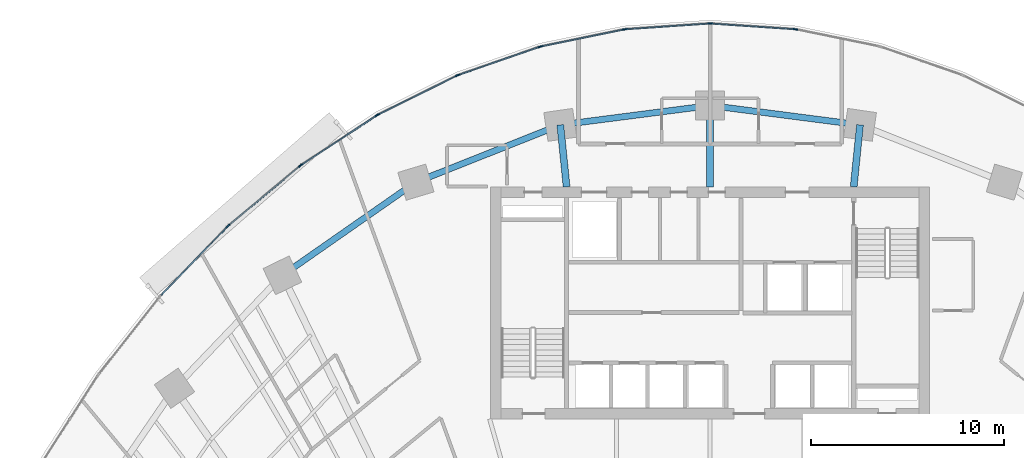
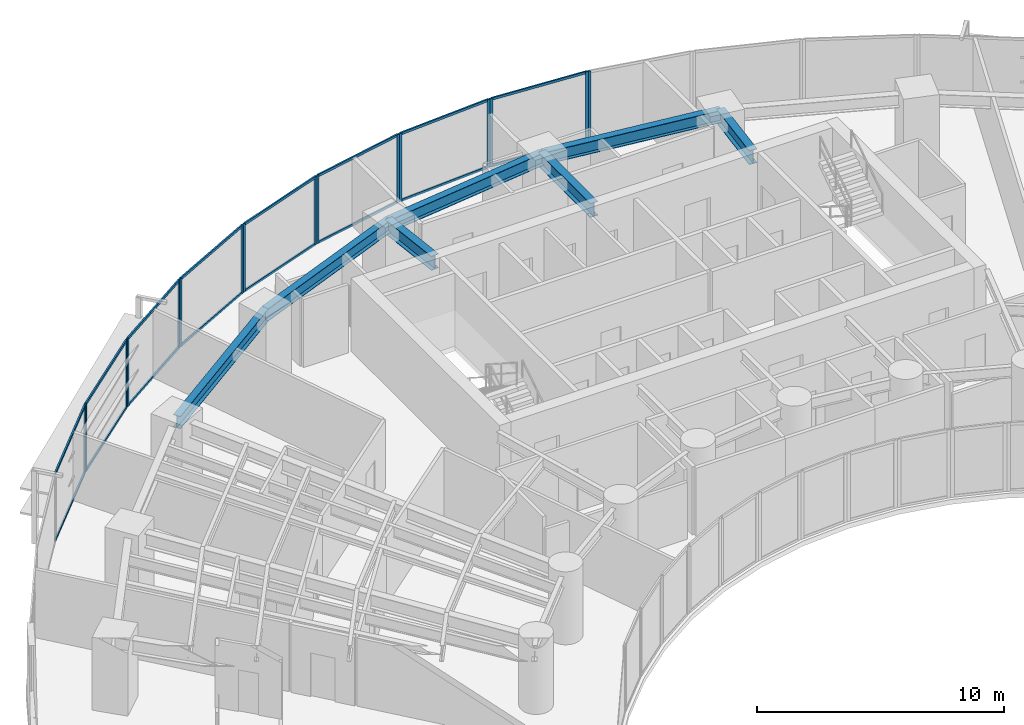
# One storey, part 6 of 17: 32 members, 7 beams, 9 elements without a shape of their own.
"""IFC4 building model written with IfcOpenShell, lengths in metres."""

import ifcopenshell
import ifcopenshell.guid

model = None  # the IFC model being written
_history = None  # IfcOwnerHistory: only IFC2X3 demands one
_inside = {}  # id of a spatial element -> (the spatial element, [elements in it])
_under = {}  # id of a project, library or spatial element -> (it, [spatial elements below it])
_declared = {}  # id of a project -> (the project, [libraries it declares])
_typed = {}  # id of a type object -> (the type object, [elements of that type])
_made_of = {}  # id of a material, layer set ... -> (it, [elements and type objects made of it])


def new_model(schema):
    """Start an empty IFC model of exactly this schema.

    Asked for "IFC4X3", IfcOpenShell would pick the latest addendum, in which some entities
    have other attributes; the version numbers below select the first issue.
    IFC2X3 requires an IfcOwnerHistory on every rooted entity: one is made here for all.
    """
    global model, _history
    if schema == "IFC4X3":
        model = ifcopenshell.file(schema_version=(4, 3, 0, 0))
    else:
        model = ifcopenshell.file(schema=schema)
    _inside.clear()
    _under.clear()
    _declared.clear()
    _typed.clear()
    _made_of.clear()
    _history = None
    if model.schema == "IFC2X3":
        org = make("IfcOrganization", Name="unknown")
        user = make(
            "IfcPersonAndOrganization",
            ThePerson=make("IfcPerson", FamilyName="unknown"),
            TheOrganization=org,
        )
        app = make(
            "IfcApplication",
            ApplicationDeveloper=org,
            Version="unknown",
            ApplicationFullName="unknown",
            ApplicationIdentifier="unknown",
        )
        _history = make(
            "IfcOwnerHistory",
            OwningUser=user,
            OwningApplication=app,
            ChangeAction="ADDED",
            CreationDate=0,
        )
    return model


def make(cls, **values):
    """One entity of the class cls with the attributes given. An attribute that is None is left unset."""
    return model.create_entity(
        cls, **{name: value for name, value in values.items() if value is not None}
    )


def rooted(cls, **values):
    """An entity with a GlobalId (a new one), such as an element, a storey or a relation."""
    return make(cls, GlobalId=ifcopenshell.guid.new(), OwnerHistory=_history, **values)


def si_unit(unit_type, name, prefix=None):
    """IfcSIUnit, for example si_unit("LENGTHUNIT", "METRE", prefix="MILLI")."""
    return make("IfcSIUnit", UnitType=unit_type, Prefix=prefix, Name=name)


def assignment(units):
    """IfcUnitAssignment: the units of a project."""
    return None if units is None else make("IfcUnitAssignment", Units=units)


def point(xyz):
    """IfcCartesianPoint."""
    return None if xyz is None else make("IfcCartesianPoint", Coordinates=xyz)


def direction(xyz):
    """IfcDirection."""
    return None if xyz is None else make("IfcDirection", DirectionRatios=xyz)


def frame(location, z_axis=None, x_axis=None):
    """IfcAxis2Placement3D, a coordinate frame: its origin and axes. An axis left out is left unset."""
    return make(
        "IfcAxis2Placement3D",
        Location=point(location),
        Axis=direction(z_axis),
        RefDirection=direction(x_axis),
    )


def frame_2d(location, x_axis=None):
    """IfcAxis2Placement2D, a coordinate frame in the plane: its origin and x axis."""
    return make(
        "IfcAxis2Placement2D", Location=point(location), RefDirection=direction(x_axis)
    )


def origin():
    """The frame at (0, 0, 0) with its axes left unset."""
    return frame((0.0, 0.0, 0.0))


def origin_2d():
    """The frame at (0, 0) in the plane with its x axis left unset."""
    return frame_2d((0.0, 0.0))


def place(relative_to, where):
    """IfcLocalPlacement: puts the frame where relative to a parent placement (None: the world)."""
    return make(
        "IfcLocalPlacement", PlacementRelTo=relative_to, RelativePlacement=where
    )


def context(
    kind, dimensions, precision=None, world=None, true_north=None, identifier=None
):
    """IfcGeometricRepresentationContext, for example the 3D "Model" context."""
    return make(
        "IfcGeometricRepresentationContext",
        ContextIdentifier=identifier,
        ContextType=kind,
        CoordinateSpaceDimension=dimensions,
        Precision=precision,
        WorldCoordinateSystem=world,
        TrueNorth=true_north,
    )


def subcontext(parent, identifier, kind, view, scale=None):
    """IfcGeometricRepresentationSubContext, for example "Body" below "Model"."""
    return make(
        "IfcGeometricRepresentationSubContext",
        ContextIdentifier=identifier,
        ContextType=kind,
        ParentContext=parent,
        TargetScale=scale,
        TargetView=view,
    )


def project(units=None, contexts=None):
    """IfcProject with its units and contexts."""
    return rooted(
        "IfcProject",
        Name="project",
        RepresentationContexts=contexts,
        UnitsInContext=assignment(units),
    )


def spatial(cls, under=None, at=None, **own):
    """A site, building, storey or space (cls), placed at a placement, below another one or the project."""
    s = rooted(cls, ObjectPlacement=at, **own)
    if under is not None:
        _under.setdefault(under.id(), (under, []))[1].append(s)
    return s


def profile(cls, at=None, kind="AREA", **sizes):
    """A parametric profile (cls). Its sizes go by their IFC names, for example OverallWidth=200.0."""
    return make(cls, ProfileType=kind, Position=at, **sizes)


def rectangle(**sizes):
    """IfcRectangleProfileDef."""
    return profile("IfcRectangleProfileDef", **sizes)


def i_section(**sizes):
    """IfcIShapeProfileDef."""
    return profile("IfcIShapeProfileDef", **sizes)


def extrude(swept, where, along, depth):
    """IfcExtrudedAreaSolid: the profile swept, set in the frame where, extruded along a direction by depth."""
    return make(
        "IfcExtrudedAreaSolid",
        SweptArea=swept,
        Position=where,
        ExtrudedDirection=direction(along),
        Depth=depth,
    )


def shape(context_of_items, identifier, shape_type, items):
    """IfcShapeRepresentation: the items that make up one representation, for example the "Body"."""
    return make(
        "IfcShapeRepresentation",
        ContextOfItems=context_of_items,
        RepresentationIdentifier=identifier,
        RepresentationType=shape_type,
        Items=items,
    )


def source(mapping_origin, context_of_items, identifier, shape_type, items):
    """IfcRepresentationMap: a shape defined once, which mapped items show again and again."""
    return make(
        "IfcRepresentationMap",
        MappingOrigin=mapping_origin,
        MappedRepresentation=shape(context_of_items, identifier, shape_type, items),
    )


def transform(
    local_origin,
    x_axis=None,
    y_axis=None,
    z_axis=None,
    scale=None,
    scale2=None,
    scale3=None,
    uniform=True,
):
    """IfcCartesianTransformationOperator3D, or its non-uniform kind. x_axis, y_axis, z_axis: its Axis1, 2, 3."""
    if uniform:
        return make(
            "IfcCartesianTransformationOperator3D",
            Axis1=direction(x_axis),
            Axis2=direction(y_axis),
            LocalOrigin=point(local_origin),
            Scale=scale,
            Axis3=direction(z_axis),
        )
    return make(
        "IfcCartesianTransformationOperator3DnonUniform",
        Axis1=direction(x_axis),
        Axis2=direction(y_axis),
        LocalOrigin=point(local_origin),
        Scale=scale,
        Axis3=direction(z_axis),
        Scale2=scale2,
        Scale3=scale3,
    )


def mapped(mapping_source, mapping_target):
    """IfcMappedItem: shows the shape of a source again, moved by a transform."""
    return make(
        "IfcMappedItem", MappingSource=mapping_source, MappingTarget=mapping_target
    )


def material(Name=None, Category=None):
    """IfcMaterial."""
    return make("IfcMaterial", Name=Name, Category=Category)


def layer(
    of_material, thickness, ventilated=None, Name=None, Category=None, Priority=None
):
    """IfcMaterialLayer: one layer of a wall or slab, of a material (None: an air gap)."""
    return make(
        "IfcMaterialLayer",
        Material=of_material,
        LayerThickness=thickness,
        IsVentilated=ventilated,
        Name=Name,
        Category=Category,
        Priority=Priority,
    )


def layer_set(layers, Name=None):
    """IfcMaterialLayerSet."""
    return make("IfcMaterialLayerSet", MaterialLayers=layers, LayerSetName=Name)


def material_profile(
    of_material, cross_section, Name=None, Category=None, Priority=None
):
    """IfcMaterialProfile: a cross section and its material."""
    return make(
        "IfcMaterialProfile",
        Name=Name,
        Material=of_material,
        Profile=cross_section,
        Priority=Priority,
        Category=Category,
    )


def profile_set(profiles, Name=None, composite=None):
    """IfcMaterialProfileSet."""
    return make(
        "IfcMaterialProfileSet",
        Name=Name,
        MaterialProfiles=profiles,
        CompositeProfile=composite,
    )


def made_of(thing, what):
    """Note that an element or type object is made of a material, layer set ...; save() writes the relation."""
    if what is not None:
        _made_of.setdefault(what.id(), (what, []))[1].append(thing)
    return thing


def type_object(cls, material=None, **own):
    """A type object (cls), such as IfcWallType, which elements share."""
    return made_of(rooted(cls, **own), material)


def element(
    cls,
    number,
    at=None,
    inside=None,
    cuts=None,
    type_object=None,
    material=None,
    context=None,
    identifier="Body",
    shape_type=None,
    held_by="IfcProductDefinitionShape",
    body=None,
    shapes=None,
    **own,
):
    """One element of the class cls, such as IfcWall. Its Tag is "e" and its number.

    at: its placement. inside: the storey or other place that contains it. cuts: it is an
    opening in that element (IfcRelVoidsElement). A single representation is given by context,
    identifier, shape_type and body (its items); several are given by shapes. held_by: the class
    of the entity that holds the representations. save() writes the other relations.
    """
    e = rooted(cls, Tag="e%d" % number, ObjectPlacement=at, **own)
    if body is not None:
        shapes = [shape(context, identifier, shape_type, body)]
    if shapes is not None:
        e.Representation = make(held_by, Representations=shapes)
    if inside is not None:
        _inside.setdefault(inside.id(), (inside, []))[1].append(e)
    if cuts is not None:
        rooted(
            "IfcRelVoidsElement", RelatingBuildingElement=cuts, RelatedOpeningElement=e
        )
    if type_object is not None:
        _typed.setdefault(type_object.id(), (type_object, []))[1].append(e)
    return made_of(e, material)


def aggregate(whole, parts):
    """IfcRelAggregates: a whole, such as a stair, and the parts it consists of."""
    return rooted("IfcRelAggregates", RelatingObject=whole, RelatedObjects=parts)


def save(model, path):
    """Write the relations noted so far, then the file.

    IfcRelAggregates (storeys below a building ...), IfcRelContainedInSpatialStructure (elements
    in a storey), IfcRelDefinesByType, IfcRelAssociatesMaterial and IfcRelDeclares: one each for
    every whole, place, type object, material and project.
    """
    for whole, parts in _under.values():
        aggregate(whole, parts)
    for where, things in _inside.values():
        rooted(
            "IfcRelContainedInSpatialStructure",
            RelatedElements=things,
            RelatingStructure=where,
        )
    for kind, things in _typed.values():
        rooted("IfcRelDefinesByType", RelatedObjects=things, RelatingType=kind)
    for what, things in _made_of.values():
        rooted("IfcRelAssociatesMaterial", RelatedObjects=things, RelatingMaterial=what)
    for by, libraries in _declared.values():
        rooted("IfcRelDeclares", RelatingContext=by, RelatedDefinitions=libraries)
    model.write(path)


model = new_model("IFC4")

# Units and contexts
model_context = context("Model", 3, precision=1e-05, world=origin(), true_north=direction((0.0, 1.0)))
body_context = subcontext(model_context, "Body", "Model", "MODEL_VIEW")
ifc_project = project(units=[si_unit("LENGTHUNIT", "METRE"), si_unit("AREAUNIT", "SQUARE_METRE"), si_unit("VOLUMEUNIT", "CUBIC_METRE"), si_unit("PLANEANGLEUNIT", "RADIAN"), si_unit("MASSUNIT", "GRAM", prefix="KILO")], contexts=[model_context])

# Site, building, storey
site_placement = place(None, origin())
site = spatial("IfcSite", under=ifc_project, at=site_placement, CompositionType="ELEMENT")
building_placement = place(site_placement, origin())
building = spatial("IfcBuilding", under=site, at=building_placement, Name="Breltana Convention Tower", CompositionType="ELEMENT")
storey_placement = place(building_placement, frame((0.0, 0.0, 49.800048828125)))
storey = spatial("IfcBuildingStorey", under=building, at=storey_placement, Name="L10", CompositionType="ELEMENT", Elevation=49.800048828125)

# Beams
ifc_material_1 = material(Name="Steel ASTM A992 Grade 50", Category="steel")
ifc_material_profile_1 = material_profile(ifc_material_1, i_section(OverallWidth=0.323974609375, OverallDepth=0.611083984375, WebThickness=0.0126953125, FlangeThickness=0.01904296875, at=origin_2d()), Name="W24X104")
ifc_profile_set_1 = profile_set([ifc_material_profile_1], Name="Steel ASTM A992 Grade 50")
beam_type_1 = type_object("IfcBeamType", Name="BM-SP-W24X104", PredefinedType="SPANDREL", material=ifc_profile_set_1)
shared_shape_1 = source(origin(), body_context, "Body", "SweptSolid", [
    extrude(i_section(OverallWidth=0.323974609375, OverallDepth=0.611083984375, WebThickness=0.0126953125, FlangeThickness=0.01904296875, at=origin_2d()), origin(), (0.0, 0.0, 1.0), 8.4169921875),
])
beam_1_placement = place(storey_placement, frame((25.8876953125, 67.626953125, 3.054443359375), z_axis=(0.820173800102, 0.572114444519, 0.0), x_axis=(-0.572114444519, 0.820173800102, 0.0)))
element("IfcBeam", 1, at=beam_1_placement, inside=storey, type_object=beam_type_1, Name="L10 Outer Spandrel Beam 03", PredefinedType="SPANDREL", context=body_context, shape_type="MappedRepresentation", body=[
    mapped(shared_shape_1, transform((0.0, 0.0, 0.0), scale=1.0)),
])
shared_shape_2 = source(origin(), body_context, "Body", "SweptSolid", [
    extrude(i_section(OverallWidth=0.323974609375, OverallDepth=0.611083984375, WebThickness=0.0126953125, FlangeThickness=0.01904296875, at=origin_2d()), origin(), (0.0, 0.0, 1.0), 8.028564453125),
])
beam_2_placement = place(storey_placement, frame((32.791015625, 72.4423828125, 3.054443359375), z_axis=(0.929459100394, 0.368925169507, 0.0), x_axis=(-0.368925169507, 0.929459100394, 0.0)))
element("IfcBeam", 2, at=beam_2_placement, inside=storey, type_object=beam_type_1, Name="L10 Outer Spandrel Beam 04", PredefinedType="SPANDREL", context=body_context, shape_type="MappedRepresentation", body=[
    mapped(shared_shape_2, transform((0.0, 0.0, 0.0), scale=1.0)),
])
shared_shape_3 = source(origin(), body_context, "Body", "SweptSolid", [
    extrude(i_section(OverallWidth=0.323974609375, OverallDepth=0.611083984375, WebThickness=0.0126953125, FlangeThickness=0.01904296875, at=origin_2d()), origin(), (0.0, 0.0, 1.0), 7.81103515625),
])
for number, where, z_axis, x_axis, name in (
    (3, (40.253173828125, 75.404296875, 3.054443359375), (0.991775179127, 0.127992164083, 0.0), (-0.127992164083, 0.991775179127, 0.0), "L10 Outer Spandrel Beam 05"),
    (4, (48.0, 76.404052734375, 3.054443359375), (0.991775179127, -0.127992164083, 0.0), (0.127992164083, 0.991775179127, 0.0), "L10 Outer Spandrel Beam 06"),
):
    element("IfcBeam", number, at=place(storey_placement, frame(where, z_axis=z_axis, x_axis=x_axis)), inside=storey, type_object=beam_type_1, Name=name, PredefinedType="SPANDREL", context=body_context, shape_type="MappedRepresentation", body=[
        mapped(shared_shape_3, transform((0.0, 0.0, 0.0), scale=1.0)),
    ])
ifc_material_profile_2 = material_profile(ifc_material_1, i_section(OverallWidth=0.35498046875, OverallDepth=0.696044921875, WebThickness=0.015380859375, FlangeThickness=0.02490234375, at=origin_2d()), Name="W27X146")
ifc_profile_set_2 = profile_set([ifc_material_profile_2], Name="Steel ASTM A992 Grade 50")
beam_type_2 = type_object("IfcBeamType", Name="BM-RG-W27X146", PredefinedType="USERDEFINED", material=ifc_profile_set_2)
shared_shape_4 = source(origin(), body_context, "Body", "SweptSolid", [
    extrude(i_section(OverallWidth=0.35498046875, OverallDepth=0.696044921875, WebThickness=0.015380859375, FlangeThickness=0.02490234375, at=origin_2d()), origin(), (0.0, 0.0, 1.0), 3.220947265625),
])
for number, where, z_axis, x_axis, name in (
    (5, (40.580078125, 72.199951171875, 3.011962890625), (-0.101492254858, 0.994836329355, 0.0), (-0.994836329355, -0.101492254858, 0.0), "L10 North Core Radial Girder R05"),
    (6, (55.419921875, 72.199951171875, 3.011962890625), (0.101492254858, 0.994836329355, 0.0), (-0.994836329355, 0.101492254858, 0.0), "L10 North Core Radial Girder R07"),
):
    element("IfcBeam", number, at=place(storey_placement, frame(where, z_axis=z_axis, x_axis=x_axis)), inside=storey, type_object=beam_type_2, Name=name, ObjectType="GIRDER", PredefinedType="USERDEFINED", context=body_context, shape_type="MappedRepresentation", body=[
        mapped(shared_shape_4, transform((0.0, 0.0, 0.0), scale=1.0)),
    ])
shared_shape_5 = source(origin(), body_context, "Body", "SweptSolid", [
    extrude(i_section(OverallWidth=0.35498046875, OverallDepth=0.696044921875, WebThickness=0.015380859375, FlangeThickness=0.02490234375, at=origin_2d()), origin(), (0.0, 0.0, 1.0), 4.2041015625),
])
beam_3_placement = place(storey_placement, frame((48.0, 72.199951171875, 3.011962890625), z_axis=(0.0, 1.0, 0.0), x_axis=(-1.0, 0.0, 0.0)))
element("IfcBeam", 7, at=beam_3_placement, inside=storey, type_object=beam_type_2, Name="L10 North Core Radial Girder R06", ObjectType="GIRDER", PredefinedType="USERDEFINED", context=body_context, shape_type="MappedRepresentation", body=[
    mapped(shared_shape_5, transform((0.0, 0.0, 0.0), scale=1.0)),
])

# Curtain wall, members
ifc_material_2 = material(Name="Aluminium Anodised Bronze Frame", Category="aluminium")
ifc_layer = layer(ifc_material_2, 0.199951171875, Name="Aluminium Anodised Bronze Frame")
ifc_layer_set = layer_set([ifc_layer], Name="Aluminium Anodised Bronze Frame")
curtain_wall_type = type_object("IfcCurtainWallType", Name="CW-SYS-2", PredefinedType="NOTDEFINED", material=ifc_layer_set)
curtain_wall_1_placement = place(storey_placement, origin())
curtain_wall_1 = element("IfcCurtainWall", 8, at=curtain_wall_1_placement, inside=storey, type_object=curtain_wall_type, Name="L10 outer double-skin inner glazing 3", PredefinedType="NOTDEFINED")
ifc_material_3 = material(Name="Aluminium Anodised Bronze", Category="aluminium")
ifc_material_profile_3 = material_profile(ifc_material_3, rectangle(XDim=0.070068359375, YDim=0.1201171875, at=origin_2d()), Name="CWT-70X120")
ifc_profile_set_3 = profile_set([ifc_material_profile_3], Name="Aluminium Anodised Bronze")
member_type_1 = type_object("IfcMemberType", Name="CWT-120", PredefinedType="USERDEFINED", material=ifc_profile_set_3)
shared_shape_6 = source(origin(), body_context, "Body", "SweptSolid", [
    extrude(rectangle(XDim=0.070068359375, YDim=0.1201171875, at=origin_2d()), origin(), (0.0, 0.0, 1.0), 4.901123046875),
])
member_1_placement = place(storey_placement, frame((19.615478515625, 66.5966796875, 0.034912109375), z_axis=(0.6945945137, 0.719401460617, 0.0), x_axis=(-0.719401460617, 0.6945945137, 0.0)))
member_1 = element("IfcMember", 9, at=member_1_placement, type_object=member_type_1, Name="CW-02 transom 1.1", ObjectType="TRANSOM", PredefinedType="USERDEFINED", context=body_context, shape_type="MappedRepresentation", body=[
    mapped(shared_shape_6, transform((0.0, 0.0, 0.0), scale=1.0)),
])
member_2_placement = place(storey_placement, frame((19.615478515625, 66.5966796875, 3.324951171875), z_axis=(0.6945945137, 0.719401460617, 0.0), x_axis=(-0.719401460617, 0.6945945137, 0.0)))
member_2 = element("IfcMember", 10, at=member_2_placement, type_object=member_type_1, Name="CW-02 transom 1.2", ObjectType="TRANSOM", PredefinedType="USERDEFINED", context=body_context, shape_type="MappedRepresentation", body=[
    mapped(shared_shape_6, transform((0.0, 0.0, 0.0), scale=1.0)),
])

curtain_wall_2_placement = place(storey_placement, origin())
curtain_wall_2 = element("IfcCurtainWall", 11, at=curtain_wall_2_placement, inside=storey, type_object=curtain_wall_type, Name="L10 outer double-skin inner glazing 4", PredefinedType="NOTDEFINED")
shared_shape_7 = source(origin(), body_context, "Body", "SweptSolid", [
    extrude(rectangle(XDim=0.070068359375, YDim=0.1201171875, at=origin_2d()), origin(), (0.0, 0.0, 1.0), 4.7509765625),
])
member_3_placement = place(storey_placement, frame((23.1220703125, 70.2177734375, 0.034912109375), z_axis=(0.767951631807, 0.64050783852, 0.0), x_axis=(-0.64050783852, 0.767951631807, 0.0)))
member_3 = element("IfcMember", 12, at=member_3_placement, type_object=member_type_1, Name="CW-02 transom 1.1", ObjectType="TRANSOM", PredefinedType="USERDEFINED", context=body_context, shape_type="MappedRepresentation", body=[
    mapped(shared_shape_7, transform((0.0, 0.0, 0.0), scale=1.0)),
])
member_4_placement = place(storey_placement, frame((23.1220703125, 70.2177734375, 3.324951171875), z_axis=(0.767951631807, 0.64050783852, 0.0), x_axis=(-0.64050783852, 0.767951631807, 0.0)))
member_4 = element("IfcMember", 13, at=member_4_placement, type_object=member_type_1, Name="CW-02 transom 1.2", ObjectType="TRANSOM", PredefinedType="USERDEFINED", context=body_context, shape_type="MappedRepresentation", body=[
    mapped(shared_shape_7, transform((0.0, 0.0, 0.0), scale=1.0)),
])

curtain_wall_3_placement = place(storey_placement, origin())
curtain_wall_3 = element("IfcCurtainWall", 14, at=curtain_wall_3_placement, inside=storey, type_object=curtain_wall_type, Name="L10 outer double-skin inner glazing 5", PredefinedType="NOTDEFINED")
shared_shape_8 = source(origin(), body_context, "Body", "SweptSolid", [
    extrude(rectangle(XDim=0.070068359375, YDim=0.1201171875, at=origin_2d()), origin(), (0.0, 0.0, 1.0), 4.610595703125),
])
member_5_placement = place(storey_placement, frame((26.8828125, 73.343994140625, 0.034912109375), z_axis=(0.835956055104, 0.54879638659, 0.0), x_axis=(-0.54879638659, 0.835956055104, 0.0)))
member_5 = element("IfcMember", 15, at=member_5_placement, type_object=member_type_1, Name="CW-02 transom 1.1", ObjectType="TRANSOM", PredefinedType="USERDEFINED", context=body_context, shape_type="MappedRepresentation", body=[
    mapped(shared_shape_8, transform((0.0, 0.0, 0.0), scale=1.0)),
])
member_6_placement = place(storey_placement, frame((26.8828125, 73.343994140625, 3.324951171875), z_axis=(0.835956055104, 0.54879638659, 0.0), x_axis=(-0.54879638659, 0.835956055104, 0.0)))
member_6 = element("IfcMember", 16, at=member_6_placement, type_object=member_type_1, Name="CW-02 transom 1.2", ObjectType="TRANSOM", PredefinedType="USERDEFINED", context=body_context, shape_type="MappedRepresentation", body=[
    mapped(shared_shape_8, transform((0.0, 0.0, 0.0), scale=1.0)),
])

curtain_wall_4_placement = place(storey_placement, origin())
curtain_wall_4 = element("IfcCurtainWall", 17, at=curtain_wall_4_placement, inside=storey, type_object=curtain_wall_type, Name="L10 outer double-skin inner glazing 6", PredefinedType="NOTDEFINED")
shared_shape_9 = source(origin(), body_context, "Body", "SweptSolid", [
    extrude(rectangle(XDim=0.070068359375, YDim=0.1201171875, at=origin_2d()), origin(), (0.0, 0.0, 1.0), 4.487548828125),
])
member_7_placement = place(storey_placement, frame((30.8583984375, 75.94384765625, 0.034912109375), z_axis=(0.895977728863, 0.444098986017, 0.0), x_axis=(-0.444098986017, 0.895977728863, 0.0)))
member_7 = element("IfcMember", 18, at=member_7_placement, type_object=member_type_1, Name="CW-02 transom 1.1", ObjectType="TRANSOM", PredefinedType="USERDEFINED", context=body_context, shape_type="MappedRepresentation", body=[
    mapped(shared_shape_9, transform((0.0, 0.0, 0.0), scale=1.0)),
])
member_8_placement = place(storey_placement, frame((30.8583984375, 75.94384765625, 3.324951171875), z_axis=(0.895977728863, 0.444098986017, 0.0), x_axis=(-0.444098986017, 0.895977728863, 0.0)))
member_8 = element("IfcMember", 19, at=member_8_placement, type_object=member_type_1, Name="CW-02 transom 1.2", ObjectType="TRANSOM", PredefinedType="USERDEFINED", context=body_context, shape_type="MappedRepresentation", body=[
    mapped(shared_shape_9, transform((0.0, 0.0, 0.0), scale=1.0)),
])

curtain_wall_5_placement = place(storey_placement, origin())
curtain_wall_5 = element("IfcCurtainWall", 20, at=curtain_wall_5_placement, inside=storey, type_object=curtain_wall_type, Name="L10 outer double-skin inner glazing 7", PredefinedType="NOTDEFINED")
shared_shape_10 = source(origin(), body_context, "Body", "SweptSolid", [
    extrude(rectangle(XDim=0.070068359375, YDim=0.1201171875, at=origin_2d()), origin(), (0.0, 0.0, 1.0), 4.38818359375),
])
member_9_placement = place(storey_placement, frame((35.008056640625, 77.99072265625, 0.034912109375), z_axis=(0.944878203019, 0.32742202348, 0.0), x_axis=(-0.32742202348, 0.944878203019, 0.0)))
member_9 = element("IfcMember", 21, at=member_9_placement, type_object=member_type_1, Name="CW-02 transom 1.1", ObjectType="TRANSOM", PredefinedType="USERDEFINED", context=body_context, shape_type="MappedRepresentation", body=[
    mapped(shared_shape_10, transform((0.0, 0.0, 0.0), scale=1.0)),
])
member_10_placement = place(storey_placement, frame((35.008056640625, 77.99072265625, 3.324951171875), z_axis=(0.944878203019, 0.32742202348, 0.0), x_axis=(-0.32742202348, 0.944878203019, 0.0)))
member_10 = element("IfcMember", 22, at=member_10_placement, type_object=member_type_1, Name="CW-02 transom 1.2", ObjectType="TRANSOM", PredefinedType="USERDEFINED", context=body_context, shape_type="MappedRepresentation", body=[
    mapped(shared_shape_10, transform((0.0, 0.0, 0.0), scale=1.0)),
])

curtain_wall_6_placement = place(storey_placement, origin())
curtain_wall_6 = element("IfcCurtainWall", 23, at=curtain_wall_6_placement, inside=storey, type_object=curtain_wall_type, Name="L10 outer double-skin inner glazing 8", PredefinedType="NOTDEFINED")
shared_shape_11 = source(origin(), body_context, "Body", "SweptSolid", [
    extrude(rectangle(XDim=0.070068359375, YDim=0.1201171875, at=origin_2d()), origin(), (0.0, 0.0, 1.0), 4.318359375),
])
member_11_placement = place(storey_placement, frame((39.2890625, 79.464599609375, 0.034912109375), z_axis=(0.979616680923, 0.200875977799, 0.0), x_axis=(-0.200875977799, 0.979616680923, 0.0)))
member_11 = element("IfcMember", 24, at=member_11_placement, type_object=member_type_1, Name="CW-02 transom 1.1", ObjectType="TRANSOM", PredefinedType="USERDEFINED", context=body_context, shape_type="MappedRepresentation", body=[
    mapped(shared_shape_11, transform((0.0, 0.0, 0.0), scale=1.0)),
])
member_12_placement = place(storey_placement, frame((39.2890625, 79.464599609375, 3.324951171875), z_axis=(0.979616680923, 0.200875977799, 0.0), x_axis=(-0.200875977799, 0.979616680923, 0.0)))
member_12 = element("IfcMember", 25, at=member_12_placement, type_object=member_type_1, Name="CW-02 transom 1.2", ObjectType="TRANSOM", PredefinedType="USERDEFINED", context=body_context, shape_type="MappedRepresentation", body=[
    mapped(shared_shape_11, transform((0.0, 0.0, 0.0), scale=1.0)),
])

curtain_wall_7_placement = place(storey_placement, origin())
curtain_wall_7 = element("IfcCurtainWall", 26, at=curtain_wall_7_placement, inside=storey, type_object=curtain_wall_type, Name="L10 outer double-skin inner glazing 9", PredefinedType="NOTDEFINED")
shared_shape_12 = source(origin(), body_context, "Body", "SweptSolid", [
    extrude(rectangle(XDim=0.070068359375, YDim=0.1201171875, at=origin_2d()), origin(), (0.0, 0.0, 1.0), 4.2822265625),
])
member_13_placement = place(storey_placement, frame((43.65771484375, 80.350830078125, 0.034912109375), z_axis=(0.997703698684, 0.067729828231, 0.0), x_axis=(-0.067729828231, 0.997703698684, 0.0)))
member_13 = element("IfcMember", 27, at=member_13_placement, type_object=member_type_1, Name="CW-02 transom 1.1", ObjectType="TRANSOM", PredefinedType="USERDEFINED", context=body_context, shape_type="MappedRepresentation", body=[
    mapped(shared_shape_12, transform((0.0, 0.0, 0.0), scale=1.0)),
])
member_14_placement = place(storey_placement, frame((43.65771484375, 80.350830078125, 3.324951171875), z_axis=(0.997703698684, 0.067729828231, 0.0), x_axis=(-0.067729828231, 0.997703698684, 0.0)))
member_14 = element("IfcMember", 28, at=member_14_placement, type_object=member_type_1, Name="CW-02 transom 1.2", ObjectType="TRANSOM", PredefinedType="USERDEFINED", context=body_context, shape_type="MappedRepresentation", body=[
    mapped(shared_shape_12, transform((0.0, 0.0, 0.0), scale=1.0)),
])

curtain_wall_8_placement = place(storey_placement, origin())
curtain_wall_8 = element("IfcCurtainWall", 29, at=curtain_wall_8_placement, inside=storey, type_object=curtain_wall_type, Name="L10 outer double-skin inner glazing 10", PredefinedType="NOTDEFINED")
member_15_placement = place(storey_placement, frame((48.06982421875, 80.640869140625, 0.034912109375), z_axis=(0.997703698684, -0.067729828231, 0.0), x_axis=(0.067729828231, 0.997703698684, 0.0)))
member_15 = element("IfcMember", 30, at=member_15_placement, type_object=member_type_1, Name="CW-02 transom 1.1", ObjectType="TRANSOM", PredefinedType="USERDEFINED", context=body_context, shape_type="MappedRepresentation", body=[
    mapped(shared_shape_12, transform((0.0, 0.0, 0.0), scale=1.0)),
])
member_16_placement = place(storey_placement, frame((48.06982421875, 80.640869140625, 3.324951171875), z_axis=(0.997703698684, -0.067729828231, 0.0), x_axis=(0.067729828231, 0.997703698684, 0.0)))
member_16 = element("IfcMember", 31, at=member_16_placement, type_object=member_type_1, Name="CW-02 transom 1.2", ObjectType="TRANSOM", PredefinedType="USERDEFINED", context=body_context, shape_type="MappedRepresentation", body=[
    mapped(shared_shape_12, transform((0.0, 0.0, 0.0), scale=1.0)),
])

# Member
ifc_material_profile_4 = material_profile(ifc_material_3, rectangle(XDim=0.070068359375, YDim=0.175048828125, at=origin_2d()), Name="CWM-70X175")
ifc_profile_set_4 = profile_set([ifc_material_profile_4], Name="Aluminium Anodised Bronze")
member_type_2 = type_object("IfcMemberType", Name="CWM-175", PredefinedType="MULLION", material=ifc_profile_set_4)
shared_shape_13 = source(origin(), body_context, "Body", "SweptSolid", [
    extrude(rectangle(XDim=0.070068359375, YDim=0.175048828125, at=origin_2d()), origin(), (0.0, 0.0, 1.0), 3.35986328125),
])
member_17_placement = place(storey_placement, frame((23.044189453125, 70.147705078125, 0.0), z_axis=(0.0, 0.0, 1.0), x_axis=(-0.719386421003, 0.694610090106, 0.0)))
member_17 = element("IfcMember", 32, at=member_17_placement, type_object=member_type_2, Name="CW-02 mullion 2", PredefinedType="MULLION", context=body_context, shape_type="MappedRepresentation", body=[
    mapped(shared_shape_13, transform((0.0, 0.0, 0.0), scale=1.0)),
])

aggregate(curtain_wall_1, [member_17, member_1, member_2])

member_18_placement = place(storey_placement, frame((23.09521484375, 70.1953125, 0.0), z_axis=(0.0, 0.0, 1.0), x_axis=(-0.640520193554, 0.767941326958, 0.0)))
member_18 = element("IfcMember", 33, at=member_18_placement, type_object=member_type_2, Name="CW-02 mullion 1", PredefinedType="MULLION", context=body_context, shape_type="MappedRepresentation", body=[
    mapped(shared_shape_13, transform((0.0, 0.0, 0.0), scale=1.0)),
])

member_19_placement = place(storey_placement, frame((26.79736328125, 73.283203125, 0.0), z_axis=(0.0, 0.0, 1.0), x_axis=(-0.640520193554, 0.767941326958, 0.0)))
member_19 = element("IfcMember", 34, at=member_19_placement, type_object=member_type_2, Name="CW-02 mullion 2", PredefinedType="MULLION", context=body_context, shape_type="MappedRepresentation", body=[
    mapped(shared_shape_13, transform((0.0, 0.0, 0.0), scale=1.0)),
])

aggregate(curtain_wall_2, [member_18, member_19, member_3, member_4])

member_20_placement = place(storey_placement, frame((26.853515625, 73.32470703125, 0.0), z_axis=(0.0, 0.0, 1.0), x_axis=(-0.548784255746, 0.83596401875, 0.0)))
member_20 = element("IfcMember", 35, at=member_20_placement, type_object=member_type_2, Name="CW-02 mullion 1", PredefinedType="MULLION", context=body_context, shape_type="MappedRepresentation", body=[
    mapped(shared_shape_13, transform((0.0, 0.0, 0.0), scale=1.0)),
])

member_21_placement = place(storey_placement, frame((30.766357421875, 75.8935546875, 0.0), z_axis=(0.0, 0.0, 1.0), x_axis=(-0.548784255746, 0.83596401875, 0.0)))
member_21 = element("IfcMember", 36, at=member_21_placement, type_object=member_type_2, Name="CW-02 mullion 2", PredefinedType="MULLION", context=body_context, shape_type="MappedRepresentation", body=[
    mapped(shared_shape_13, transform((0.0, 0.0, 0.0), scale=1.0)),
])

aggregate(curtain_wall_3, [member_20, member_21, member_5, member_6])

member_22_placement = place(storey_placement, frame((30.8271484375, 75.92822265625, 0.0), z_axis=(0.0, 0.0, 1.0), x_axis=(-0.444107703726, 0.895973407804, 0.0)))
member_22 = element("IfcMember", 37, at=member_22_placement, type_object=member_type_2, Name="CW-02 mullion 1", PredefinedType="MULLION", context=body_context, shape_type="MappedRepresentation", body=[
    mapped(shared_shape_13, transform((0.0, 0.0, 0.0), scale=1.0)),
])

member_23_placement = place(storey_placement, frame((34.910400390625, 77.9521484375, 0.0), z_axis=(0.0, 0.0, 1.0), x_axis=(-0.444107703726, 0.895973407804, 0.0)))
member_23 = element("IfcMember", 38, at=member_23_placement, type_object=member_type_2, Name="CW-02 mullion 2", PredefinedType="MULLION", context=body_context, shape_type="MappedRepresentation", body=[
    mapped(shared_shape_13, transform((0.0, 0.0, 0.0), scale=1.0)),
])

aggregate(curtain_wall_4, [member_22, member_23, member_7, member_8])

member_24_placement = place(storey_placement, frame((34.974853515625, 77.979248046875, 0.0), z_axis=(0.0, 0.0, 1.0), x_axis=(-0.32742834581, 0.944876012163, 0.0)))
member_24 = element("IfcMember", 39, at=member_24_placement, type_object=member_type_2, Name="CW-02 mullion 1", PredefinedType="MULLION", context=body_context, shape_type="MappedRepresentation", body=[
    mapped(shared_shape_13, transform((0.0, 0.0, 0.0), scale=1.0)),
])

member_25_placement = place(storey_placement, frame((39.1875, 79.43896484375, 0.0), z_axis=(0.0, 0.0, 1.0), x_axis=(-0.32742834581, 0.944876012163, 0.0)))
member_25 = element("IfcMember", 40, at=member_25_placement, type_object=member_type_2, Name="CW-02 mullion 2", PredefinedType="MULLION", context=body_context, shape_type="MappedRepresentation", body=[
    mapped(shared_shape_13, transform((0.0, 0.0, 0.0), scale=1.0)),
])

aggregate(curtain_wall_5, [member_24, member_25, member_9, member_10])

member_26_placement = place(storey_placement, frame((39.2548828125, 79.45751953125, 0.0), z_axis=(0.0, 0.0, 1.0), x_axis=(-0.200884537139, 0.979614925743, 0.0)))
member_26 = element("IfcMember", 41, at=member_26_placement, type_object=member_type_2, Name="CW-02 mullion 1", PredefinedType="MULLION", context=body_context, shape_type="MappedRepresentation", body=[
    mapped(shared_shape_13, transform((0.0, 0.0, 0.0), scale=1.0)),
])

member_27_placement = place(storey_placement, frame((43.5537109375, 80.339111328125, 0.0), z_axis=(0.0, 0.0, 1.0), x_axis=(-0.200884537139, 0.979614925743, 0.0)))
member_27 = element("IfcMember", 42, at=member_27_placement, type_object=member_type_2, Name="CW-02 mullion 2", PredefinedType="MULLION", context=body_context, shape_type="MappedRepresentation", body=[
    mapped(shared_shape_13, transform((0.0, 0.0, 0.0), scale=1.0)),
])

aggregate(curtain_wall_6, [member_26, member_27, member_11, member_12])

member_28_placement = place(storey_placement, frame((43.622802734375, 80.348388671875, 0.0), z_axis=(0.0, 0.0, 1.0), x_axis=(-0.067725650529, 0.997703982282, 0.0)))
member_28 = element("IfcMember", 43, at=member_28_placement, type_object=member_type_2, Name="CW-02 mullion 1", PredefinedType="MULLION", context=body_context, shape_type="MappedRepresentation", body=[
    mapped(shared_shape_13, transform((0.0, 0.0, 0.0), scale=1.0)),
])

member_29_placement = place(storey_placement, frame((47.965087890625, 80.643310546875, 0.0), z_axis=(0.0, 0.0, 1.0), x_axis=(-0.067725650529, 0.997703982282, 0.0)))
member_29 = element("IfcMember", 44, at=member_29_placement, type_object=member_type_2, Name="CW-02 mullion 2", PredefinedType="MULLION", context=body_context, shape_type="MappedRepresentation", body=[
    mapped(shared_shape_13, transform((0.0, 0.0, 0.0), scale=1.0)),
])

aggregate(curtain_wall_7, [member_28, member_29, member_13, member_14])

member_30_placement = place(storey_placement, frame((48.034912109375, 80.643310546875, 0.0), z_axis=(0.0, 0.0, 1.0), x_axis=(0.067725650529, 0.997703982282, 0.0)))
member_30 = element("IfcMember", 45, at=member_30_placement, type_object=member_type_2, Name="CW-02 mullion 1", PredefinedType="MULLION", context=body_context, shape_type="MappedRepresentation", body=[
    mapped(shared_shape_13, transform((0.0, 0.0, 0.0), scale=1.0)),
])

member_31_placement = place(storey_placement, frame((52.377197265625, 80.348388671875, 0.0), z_axis=(0.0, 0.0, 1.0), x_axis=(0.067725650529, 0.997703982282, 0.0)))
member_31 = element("IfcMember", 46, at=member_31_placement, type_object=member_type_2, Name="CW-02 mullion 2", PredefinedType="MULLION", context=body_context, shape_type="MappedRepresentation", body=[
    mapped(shared_shape_13, transform((0.0, 0.0, 0.0), scale=1.0)),
])

aggregate(curtain_wall_8, [member_30, member_31, member_15, member_16])

# Curtain wall, member
curtain_wall_9_placement = place(storey_placement, origin())
curtain_wall_9 = element("IfcCurtainWall", 47, at=curtain_wall_9_placement, inside=storey, type_object=curtain_wall_type, Name="L10 outer double-skin inner glazing 11", PredefinedType="NOTDEFINED")
member_32_placement = place(storey_placement, frame((52.4462890625, 80.339111328125, 0.0), z_axis=(0.0, 0.0, 1.0), x_axis=(0.200884537139, 0.979614925743, 0.0)))
member_32 = element("IfcMember", 48, at=member_32_placement, type_object=member_type_2, Name="CW-02 mullion 1", PredefinedType="MULLION", context=body_context, shape_type="MappedRepresentation", body=[
    mapped(shared_shape_13, transform((0.0, 0.0, 0.0), scale=1.0)),
])
aggregate(curtain_wall_9, [member_32])

save(model, "model.ifc")
